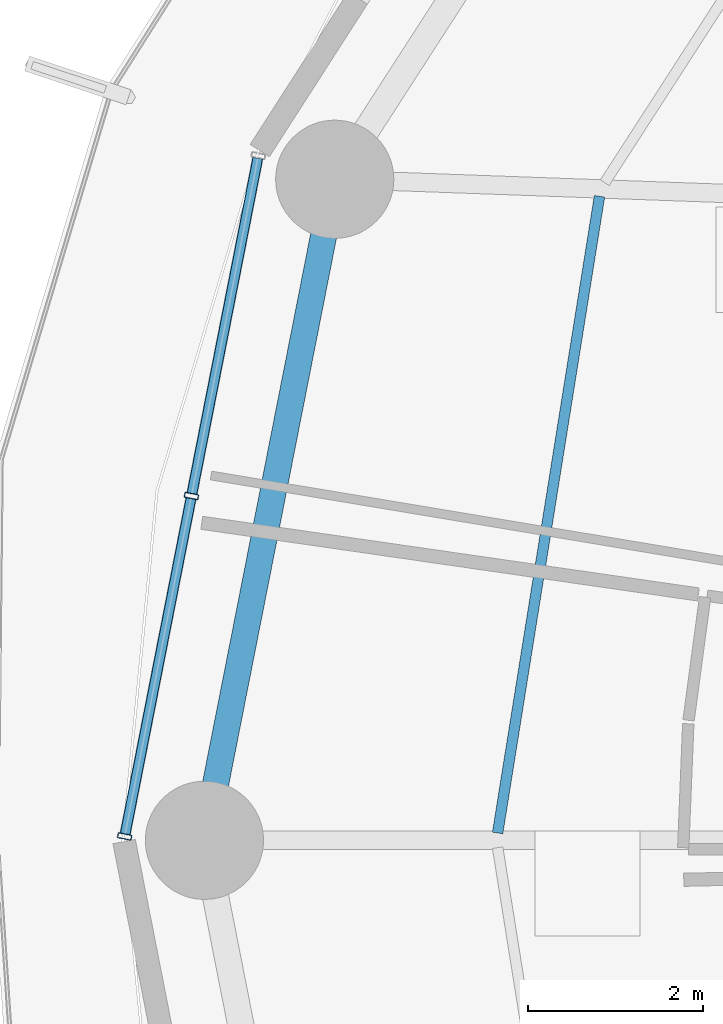
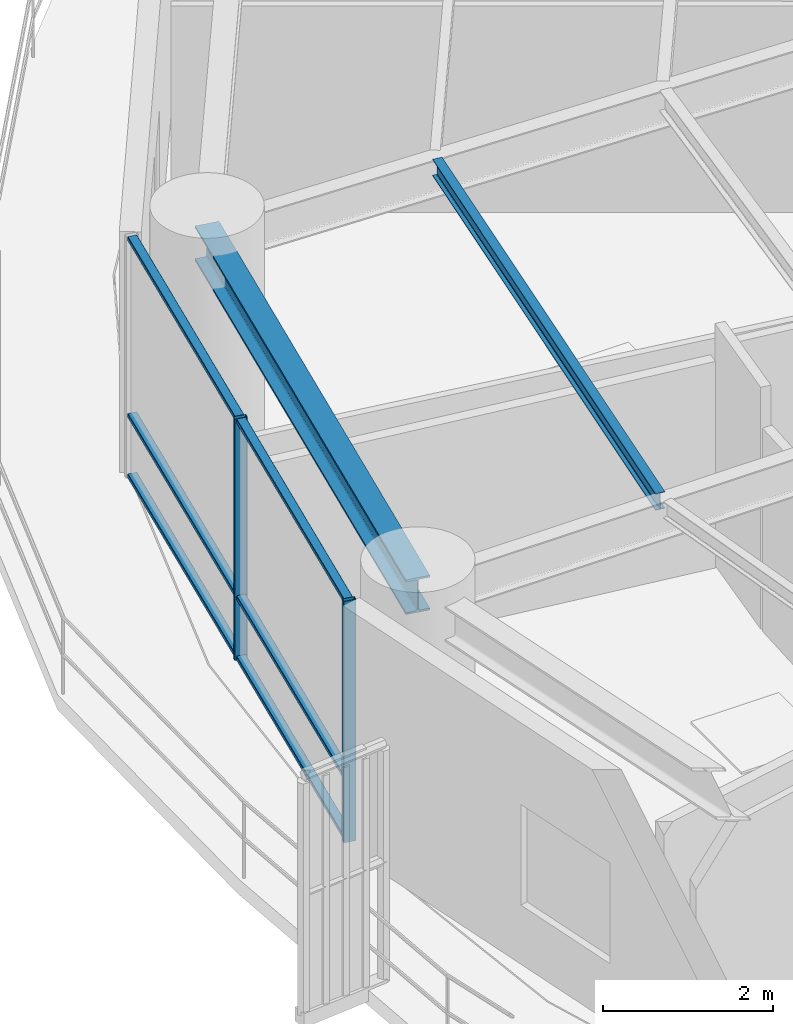
# One storey, part 8 of 35: 8 members, 2 beams, 1 element without a shape of its own.
"""IFC4 building model written with IfcOpenShell, lengths in metres."""

from ifc_helpers import new_model, si_unit, direction, frame, origin, origin_2d, place, context, subcontext, project, spatial, hollow_rectangle, i_section, extrude, material, layer, layer_set, material_profile, profile_set, type_object, element, aggregate, save


model = new_model("IFC4")

# Units and contexts
model_context = context("Model", 3, precision=1e-05, world=origin(), true_north=direction((0.0, 1.0)))
body_context = subcontext(model_context, "Body", "Model", "MODEL_VIEW")
ifc_project = project(units=[si_unit("LENGTHUNIT", "METRE"), si_unit("AREAUNIT", "SQUARE_METRE"), si_unit("VOLUMEUNIT", "CUBIC_METRE"), si_unit("PLANEANGLEUNIT", "RADIAN"), si_unit("MASSUNIT", "GRAM", prefix="KILO")], contexts=[model_context])

# Site, building, storey
site_placement = place(None, origin())
site = spatial("IfcSite", under=ifc_project, at=site_placement, CompositionType="ELEMENT")
building_placement = place(site_placement, origin())
building = spatial("IfcBuilding", under=site, at=building_placement, Name="Kelanora Arch Commons", CompositionType="ELEMENT")
storey_placement = place(building_placement, frame((0.0, 0.0, 95.10009765625)))
storey = spatial("IfcBuildingStorey", under=building, at=storey_placement, Name="L24", CompositionType="ELEMENT", Elevation=95.10009765625)

# Beams
ifc_material_1 = material(Name="Steel S355", Category="steel")
ifc_material_profile_1 = material_profile(ifc_material_1, i_section(OverallWidth=0.1201171875, OverallDepth=0.239990234375, WebThickness=0.006103515625, FlangeThickness=0.009765625, FilletRadius=0.014892578125, at=origin_2d()), Name="IPE240")
ifc_profile_set_1 = profile_set([ifc_material_profile_1], Name="Steel S355")
beam_type_1 = type_object("IfcBeamType", Name="BM-JST-02", PredefinedType="JOIST", material=ifc_profile_set_1)
beam_1_placement = place(storey_placement, frame((53.833251953125, 65.357421875, 3.369873046875), z_axis=(-0.157999549894, -0.987439184068, 0.0), x_axis=(0.987439184068, -0.157999549894, 0.0)))
element("IfcBeam", 1, at=beam_1_placement, inside=storey, type_object=beam_type_1, Name="Secondary Chord Joist BJC-16 L24", PredefinedType="JOIST", context=body_context, shape_type="SweptSolid", body=[
    extrude(i_section(OverallWidth=0.1201171875, OverallDepth=0.239990234375, WebThickness=0.006103515625, FlangeThickness=0.009765625, FilletRadius=0.014892578125, at=origin_2d()), origin(), (0.0, 0.0, 1.0), 7.365966796875),
])
ifc_material_profile_2 = material_profile(ifc_material_1, i_section(OverallWidth=0.300048828125, OverallDepth=0.5, WebThickness=0.014404296875, FlangeThickness=0.028076171875, FilletRadius=0.027099609375, at=origin_2d()), Name="HEB500")
ifc_profile_set_2 = profile_set([ifc_material_profile_2], Name="Steel S355")
beam_type_2 = type_object("IfcBeamType", Name="BM-SPN-Z2", PredefinedType="SPANDREL", material=ifc_profile_set_2)
beam_2_placement = place(storey_placement, frame((50.808349609375, 65.5517578125, 3.239990234375), z_axis=(-0.19335825777, -0.981128220037, 0.0), x_axis=(0.981128220037, -0.19335825777, 0.0)))
element("IfcBeam", 2, at=beam_2_placement, inside=storey, type_object=beam_type_2, Name="Perimeter Spandrel Beam BS-16 L24", PredefinedType="SPANDREL", context=body_context, shape_type="SweptSolid", body=[
    extrude(i_section(OverallWidth=0.300048828125, OverallDepth=0.5, WebThickness=0.014404296875, FlangeThickness=0.028076171875, FilletRadius=0.027099609375, at=origin_2d()), origin(), (0.0, 0.0, 1.0), 7.697021484375),
])

# Curtain wall, members
ifc_material_2 = material(Name="Terracotta ceramic-fritted low-E glass and aluminium", Category="masonry")
ifc_layer = layer(ifc_material_2, 0.159912109375)
ifc_layer_set = layer_set([ifc_layer], Name="Terracotta ceramic-fritted low-E glass and aluminium")
curtain_wall_type = type_object("IfcCurtainWallType", Name="CW-SYS-01", PredefinedType="NOTDEFINED", material=ifc_layer_set)
curtain_wall_placement = place(storey_placement, origin())
curtain_wall = element("IfcCurtainWall", 3, at=curtain_wall_placement, inside=storey, type_object=curtain_wall_type, Name="Unitised Curtain Wall L24-B08", PredefinedType="NOTDEFINED")
ifc_material_3 = material(Name="Powder-coated aluminium terracotta", Category="masonry")
ifc_material_profile_3 = material_profile(ifc_material_3, hollow_rectangle(XDim=0.159912109375, YDim=0.06005859375, WallThickness=0.0048828125, InnerFilletRadius=0.0048828125, OuterFilletRadius=0.010009765625, at=origin_2d()), Name="CWM160x60")
ifc_profile_set_3 = profile_set([ifc_material_profile_3], Name="Powder-coated aluminium terracotta")
member_type_1 = type_object("IfcMemberType", Name="CWM-STD", PredefinedType="MULLION", material=ifc_profile_set_3)
member_1_placement = place(storey_placement, frame((49.171875, 61.933349609375, 0.0), z_axis=(0.0, 0.0, 1.0), x_axis=(0.981280311646, -0.192584916272, 0.0)))
member_1 = element("IfcMember", 4, at=member_1_placement, type_object=member_type_1, Name="CW-01 mullion 2", PredefinedType="MULLION", context=body_context, shape_type="SweptSolid", body=[
    extrude(hollow_rectangle(XDim=0.159912109375, YDim=0.06005859375, WallThickness=0.0048828125, InnerFilletRadius=0.0048828125, OuterFilletRadius=0.010009765625, at=origin_2d()), origin(), (0.0, 0.0, 1.0), 3.474853515625),
])
member_2_placement = place(storey_placement, frame((48.40869140625, 58.044189453125, 0.0), z_axis=(0.0, 0.0, 1.0), x_axis=(0.981280311646, -0.192584916272, 0.0)))
member_2 = element("IfcMember", 5, at=member_2_placement, type_object=member_type_1, Name="CW-01 mullion 3", PredefinedType="MULLION", context=body_context, shape_type="SweptSolid", body=[
    extrude(hollow_rectangle(XDim=0.159912109375, YDim=0.06005859375, WallThickness=0.0048828125, InnerFilletRadius=0.0048828125, OuterFilletRadius=0.010009765625, at=origin_2d()), origin(), (0.0, 0.0, 1.0), 3.474853515625),
])
ifc_material_profile_4 = material_profile(ifc_material_3, hollow_rectangle(XDim=0.1201171875, YDim=0.06005859375, WallThickness=0.0048828125, InnerFilletRadius=0.0048828125, OuterFilletRadius=0.010009765625, at=origin_2d()), Name="CWT120x60")
ifc_profile_set_4 = profile_set([ifc_material_profile_4], Name="Powder-coated aluminium terracotta")
member_type_2 = type_object("IfcMemberType", Name="CWT-STD", PredefinedType="USERDEFINED", material=ifc_profile_set_4)
member_3_placement = place(storey_placement, frame((49.929443359375, 65.79296875, 0.02978515625), z_axis=(-0.192578614785, -0.981281548348, 0.0), x_axis=(0.981281548348, -0.192578614785, 0.0)))
member_3 = element("IfcMember", 6, at=member_3_placement, type_object=member_type_2, Name="CW-01 transom 1.1", ObjectType="TRANSOM", PredefinedType="USERDEFINED", context=body_context, shape_type="SweptSolid", body=[
    extrude(hollow_rectangle(XDim=0.1201171875, YDim=0.06005859375, WallThickness=0.0048828125, InnerFilletRadius=0.0048828125, OuterFilletRadius=0.010009765625, at=origin_2d()), origin(), (0.0, 0.0, 1.0), 3.9033203125),
])
member_4_placement = place(storey_placement, frame((49.929443359375, 65.79296875, 0.89990234375), z_axis=(-0.192578614785, -0.981281548348, 0.0), x_axis=(0.981281548348, -0.192578614785, 0.0)))
member_4 = element("IfcMember", 7, at=member_4_placement, type_object=member_type_2, Name="CW-01 transom 1.2", ObjectType="TRANSOM", PredefinedType="USERDEFINED", context=body_context, shape_type="SweptSolid", body=[
    extrude(hollow_rectangle(XDim=0.1201171875, YDim=0.06005859375, WallThickness=0.0048828125, InnerFilletRadius=0.0048828125, OuterFilletRadius=0.010009765625, at=origin_2d()), origin(), (0.0, 0.0, 1.0), 3.9033203125),
])
member_5_placement = place(storey_placement, frame((49.929443359375, 65.79296875, 3.44482421875), z_axis=(-0.192578614785, -0.981281548348, 0.0), x_axis=(0.981281548348, -0.192578614785, 0.0)))
member_5 = element("IfcMember", 8, at=member_5_placement, type_object=member_type_2, Name="CW-01 transom 1.3", ObjectType="TRANSOM", PredefinedType="USERDEFINED", context=body_context, shape_type="SweptSolid", body=[
    extrude(hollow_rectangle(XDim=0.1201171875, YDim=0.06005859375, WallThickness=0.0048828125, InnerFilletRadius=0.0048828125, OuterFilletRadius=0.010009765625, at=origin_2d()), origin(), (0.0, 0.0, 1.0), 3.9033203125),
])
member_6_placement = place(storey_placement, frame((49.166259765625, 61.90380859375, 0.02978515625), z_axis=(-0.192578614785, -0.981281548348, 0.0), x_axis=(0.981281548348, -0.192578614785, 0.0)))
member_6 = element("IfcMember", 9, at=member_6_placement, type_object=member_type_2, Name="CW-01 transom 2.1", ObjectType="TRANSOM", PredefinedType="USERDEFINED", context=body_context, shape_type="SweptSolid", body=[
    extrude(hollow_rectangle(XDim=0.1201171875, YDim=0.06005859375, WallThickness=0.0048828125, InnerFilletRadius=0.0048828125, OuterFilletRadius=0.010009765625, at=origin_2d()), origin(), (0.0, 0.0, 1.0), 3.9033203125),
])
member_7_placement = place(storey_placement, frame((49.166259765625, 61.90380859375, 0.89990234375), z_axis=(-0.192578614785, -0.981281548348, 0.0), x_axis=(0.981281548348, -0.192578614785, 0.0)))
member_7 = element("IfcMember", 10, at=member_7_placement, type_object=member_type_2, Name="CW-01 transom 2.2", ObjectType="TRANSOM", PredefinedType="USERDEFINED", context=body_context, shape_type="SweptSolid", body=[
    extrude(hollow_rectangle(XDim=0.1201171875, YDim=0.06005859375, WallThickness=0.0048828125, InnerFilletRadius=0.0048828125, OuterFilletRadius=0.010009765625, at=origin_2d()), origin(), (0.0, 0.0, 1.0), 3.9033203125),
])
member_8_placement = place(storey_placement, frame((49.166259765625, 61.90380859375, 3.44482421875), z_axis=(-0.192578614785, -0.981281548348, 0.0), x_axis=(0.981281548348, -0.192578614785, 0.0)))
member_8 = element("IfcMember", 11, at=member_8_placement, type_object=member_type_2, Name="CW-01 transom 2.3", ObjectType="TRANSOM", PredefinedType="USERDEFINED", context=body_context, shape_type="SweptSolid", body=[
    extrude(hollow_rectangle(XDim=0.1201171875, YDim=0.06005859375, WallThickness=0.0048828125, InnerFilletRadius=0.0048828125, OuterFilletRadius=0.010009765625, at=origin_2d()), origin(), (0.0, 0.0, 1.0), 3.9033203125),
])
aggregate(curtain_wall, [member_1, member_2, member_3, member_4, member_5, member_6, member_7, member_8])

save(model, "model.ifc")
